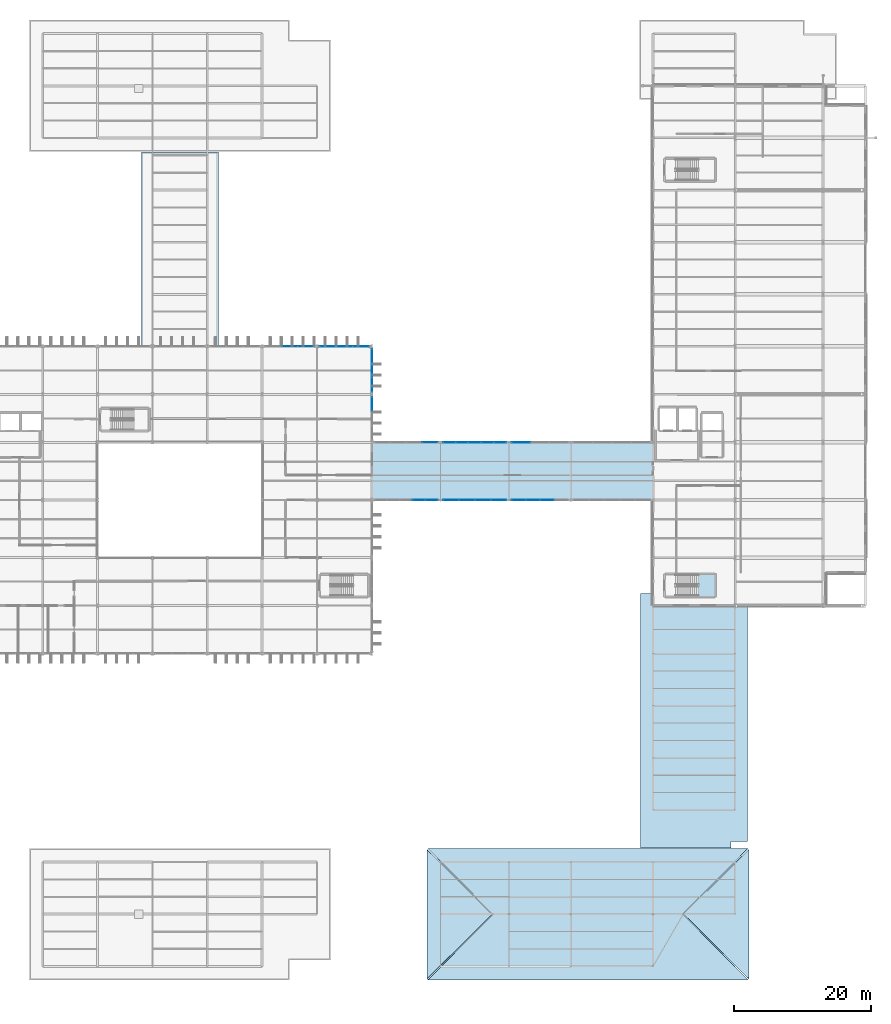
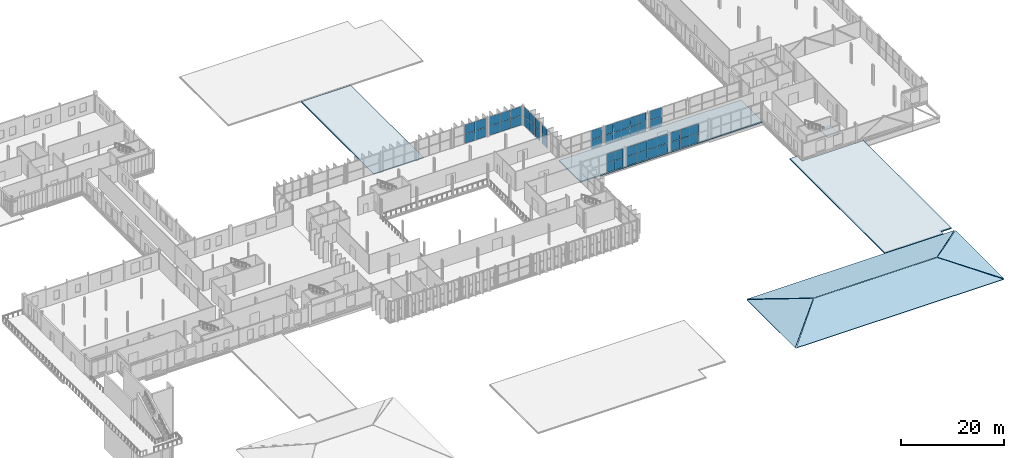
# One storey, part 84 of 120: 50 plates, 8 slabs, 11 elements without a shape of their own.
"""IFC4 building model written with IfcOpenShell, lengths in metres."""

from ifc_helpers import new_model, si_unit, direction, frame, origin, origin_2d, place, context, subcontext, project, spatial, polyline, rectangle, outline, extrude, material, layer, layer_set, type_object, element, aggregate, save


model = new_model("IFC4")

# Units and contexts
model_context = context("Model", 3, precision=1e-05, world=origin(), true_north=direction((0.0, 1.0)))
body_context = subcontext(model_context, "Body", "Model", "MODEL_VIEW")
ifc_project = project(units=[si_unit("LENGTHUNIT", "METRE"), si_unit("AREAUNIT", "SQUARE_METRE"), si_unit("VOLUMEUNIT", "CUBIC_METRE"), si_unit("PLANEANGLEUNIT", "RADIAN"), si_unit("MASSUNIT", "GRAM", prefix="KILO")], contexts=[model_context])

# Site, building, storey
site_placement = place(None, origin())
site = spatial("IfcSite", under=ifc_project, at=site_placement, CompositionType="ELEMENT")
building_placement = place(site_placement, origin())
building = spatial("IfcBuilding", under=site, at=building_placement, Name="Vekula Escarpment Museum", CompositionType="ELEMENT")
storey_placement = place(building_placement, frame((0.0, 0.0, 13.199951171875)))
storey = spatial("IfcBuildingStorey", under=building, at=storey_placement, Name="L03", CompositionType="ELEMENT", Elevation=13.199951171875)

# Curtain wall, plates
ifc_material_1 = material(Name="Aluminium thermally broken framing", Category="aluminium")
ifc_layer_1 = layer(ifc_material_1, 0.159912109375)
ifc_layer_set_1 = layer_set([ifc_layer_1], Name="Aluminium thermally broken framing")
curtain_wall_type_1 = type_object("IfcCurtainWallType", Name="CW-SYS-02", PredefinedType="NOTDEFINED", material=ifc_layer_set_1)
curtain_wall_1_placement = place(storey_placement, origin())
curtain_wall_1 = element("IfcCurtainWall", 1, at=curtain_wall_1_placement, inside=storey, type_object=curtain_wall_type_1, Name="Curtain Wall CW-L03-112", PredefinedType="NOTDEFINED")
ifc_material_2 = material(Name="Double solar-control low-E glass", Category="glass")
ifc_layer_2 = layer(ifc_material_2, 0.028076171875)
ifc_layer_set_2 = layer_set([ifc_layer_2], Name="Double solar-control low-E glass")
plate_type_1 = type_object("IfcPlateType", Name="CW-PNL-28", PredefinedType="CURTAIN_PANEL", material=ifc_layer_set_2)
plate_1_placement = place(storey_placement, frame((137.534912109375, 68.0, 0.06005859375), z_axis=(0.0, 0.0, 1.0), x_axis=(1.0, 0.0, 0.0)))
plate_1 = element("IfcPlate", 2, at=plate_1_placement, type_object=plate_type_1, Name="CW-02 panel 1.1", PredefinedType="CURTAIN_PANEL", context=body_context, shape_type="SweptSolid", body=[
    extrude(rectangle(XDim=2.22998046875, YDim=0.028076171875, at=origin_2d()), origin(), (0.0, 0.0, 1.0), 2.18994140625),
])
plate_2_placement = place(storey_placement, frame((137.534912109375, 68.0, 2.31005859375), z_axis=(0.0, 0.0, 1.0), x_axis=(1.0, 0.0, 0.0)))
plate_2 = element("IfcPlate", 3, at=plate_2_placement, type_object=plate_type_1, Name="CW-02 panel 1.2", PredefinedType="CURTAIN_PANEL", context=body_context, shape_type="SweptSolid", body=[
    extrude(rectangle(XDim=2.22998046875, YDim=0.028076171875, at=origin_2d()), origin(), (0.0, 0.0, 1.0), 2.18994140625),
])
plate_3_placement = place(storey_placement, frame((139.840087890625, 68.0, 0.06005859375), z_axis=(0.0, 0.0, 1.0), x_axis=(1.0, 0.0, 0.0)))
plate_3 = element("IfcPlate", 4, at=plate_3_placement, type_object=plate_type_1, Name="CW-02 panel 2.1", PredefinedType="CURTAIN_PANEL", context=body_context, shape_type="SweptSolid", body=[
    extrude(rectangle(XDim=2.260009765625, YDim=0.028076171875, at=origin_2d()), origin(), (0.0, 0.0, 1.0), 2.18994140625),
])
plate_4_placement = place(storey_placement, frame((139.840087890625, 68.0, 2.31005859375), z_axis=(0.0, 0.0, 1.0), x_axis=(1.0, 0.0, 0.0)))
plate_4 = element("IfcPlate", 5, at=plate_4_placement, type_object=plate_type_1, Name="CW-02 panel 2.2", PredefinedType="CURTAIN_PANEL", context=body_context, shape_type="SweptSolid", body=[
    extrude(rectangle(XDim=2.260009765625, YDim=0.028076171875, at=origin_2d()), origin(), (0.0, 0.0, 1.0), 2.18994140625),
])
plate_5_placement = place(storey_placement, frame((142.159912109375, 68.0, 0.06005859375), z_axis=(0.0, 0.0, 1.0), x_axis=(1.0, 0.0, 0.0)))
plate_5 = element("IfcPlate", 6, at=plate_5_placement, type_object=plate_type_1, Name="CW-02 panel 3.1", PredefinedType="CURTAIN_PANEL", context=body_context, shape_type="SweptSolid", body=[
    extrude(rectangle(XDim=2.260009765625, YDim=0.028076171875, at=origin_2d()), origin(), (0.0, 0.0, 1.0), 2.18994140625),
])
plate_6_placement = place(storey_placement, frame((142.159912109375, 68.0, 2.31005859375), z_axis=(0.0, 0.0, 1.0), x_axis=(1.0, 0.0, 0.0)))
plate_6 = element("IfcPlate", 7, at=plate_6_placement, type_object=plate_type_1, Name="CW-02 panel 3.2", PredefinedType="CURTAIN_PANEL", context=body_context, shape_type="SweptSolid", body=[
    extrude(rectangle(XDim=2.260009765625, YDim=0.028076171875, at=origin_2d()), origin(), (0.0, 0.0, 1.0), 2.18994140625),
])
plate_7_placement = place(storey_placement, frame((144.465087890625, 68.0, 0.06005859375), z_axis=(0.0, 0.0, 1.0), x_axis=(1.0, 0.0, 0.0)))
plate_7 = element("IfcPlate", 8, at=plate_7_placement, type_object=plate_type_1, Name="CW-02 panel 4.1", PredefinedType="CURTAIN_PANEL", context=body_context, shape_type="SweptSolid", body=[
    extrude(rectangle(XDim=2.22998046875, YDim=0.028076171875, at=origin_2d()), origin(), (0.0, 0.0, 1.0), 2.18994140625),
])
plate_8_placement = place(storey_placement, frame((144.465087890625, 68.0, 2.31005859375), z_axis=(0.0, 0.0, 1.0), x_axis=(1.0, 0.0, 0.0)))
plate_8 = element("IfcPlate", 9, at=plate_8_placement, type_object=plate_type_1, Name="CW-02 panel 4.2", PredefinedType="CURTAIN_PANEL", context=body_context, shape_type="SweptSolid", body=[
    extrude(rectangle(XDim=2.22998046875, YDim=0.028076171875, at=origin_2d()), origin(), (0.0, 0.0, 1.0), 2.18994140625),
])
aggregate(curtain_wall_1, [plate_1, plate_2, plate_3, plate_4, plate_5, plate_6, plate_7, plate_8])

ifc_material_3 = material(Name="Aluminium thermally broken framing", Category="aluminium")
ifc_layer_3 = layer(ifc_material_3, 0.169921875)
ifc_layer_set_3 = layer_set([ifc_layer_3], Name="Aluminium thermally broken framing")
curtain_wall_type_2 = type_object("IfcCurtainWallType", Name="CW-SYS-10", PredefinedType="NOTDEFINED", material=ifc_layer_set_3)
curtain_wall_2_placement = place(storey_placement, origin())
curtain_wall_2 = element("IfcCurtainWall", 10, at=curtain_wall_2_placement, inside=storey, type_object=curtain_wall_type_2, Name="Curtain Wall CW-L03-120", PredefinedType="NOTDEFINED")
plate_9_placement = place(storey_placement, frame((134.465087890625, 76.39990234375, 0.06005859375), z_axis=(0.0, 0.0, 1.0), x_axis=(-1.0, 0.0, 0.0)))
plate_9 = element("IfcPlate", 11, at=plate_9_placement, type_object=plate_type_1, Name="CW-10 panel 1.1", PredefinedType="CURTAIN_PANEL", context=body_context, shape_type="SweptSolid", body=[
    extrude(rectangle(XDim=2.22998046875, YDim=0.028076171875, at=origin_2d()), origin(), (0.0, 0.0, 1.0), 2.18994140625),
])
plate_10_placement = place(storey_placement, frame((134.465087890625, 76.39990234375, 2.31005859375), z_axis=(0.0, 0.0, 1.0), x_axis=(-1.0, 0.0, 0.0)))
plate_10 = element("IfcPlate", 12, at=plate_10_placement, type_object=plate_type_1, Name="CW-10 panel 1.2", PredefinedType="CURTAIN_PANEL", context=body_context, shape_type="SweptSolid", body=[
    extrude(rectangle(XDim=2.22998046875, YDim=0.028076171875, at=origin_2d()), origin(), (0.0, 0.0, 1.0), 2.18994140625),
])
aggregate(curtain_wall_2, [plate_9, plate_10])

ifc_material_4 = material(Name="Aluminium thermally broken framing", Category="aluminium")
ifc_layer_4 = layer(ifc_material_4, 0.199951171875)
ifc_layer_set_4 = layer_set([ifc_layer_4], Name="Aluminium thermally broken framing")
curtain_wall_type_3 = type_object("IfcCurtainWallType", Name="CW-SYS-04", PredefinedType="NOTDEFINED", material=ifc_layer_set_4)
curtain_wall_3_placement = place(storey_placement, origin())
curtain_wall_3 = element("IfcCurtainWall", 13, at=curtain_wall_3_placement, inside=storey, type_object=curtain_wall_type_3, Name="Curtain Wall CW-L03-124", PredefinedType="NOTDEFINED")
plate_11_placement = place(storey_placement, frame((116.41162109375, 90.39990234375, 0.06005859375), z_axis=(0.0, 0.0, 1.0), x_axis=(-1.0, 0.0, 0.0)))
plate_11 = element("IfcPlate", 14, at=plate_11_placement, type_object=plate_type_1, Name="CW-04 panel 1.1", PredefinedType="CURTAIN_PANEL", context=body_context, shape_type="SweptSolid", body=[
    extrude(rectangle(XDim=2.336669921875, YDim=0.028076171875, at=origin_2d()), origin(), (0.0, 0.0, 1.0), 2.18994140625),
])
plate_12_placement = place(storey_placement, frame((116.41162109375, 90.39990234375, 2.31005859375), z_axis=(0.0, 0.0, 1.0), x_axis=(-1.0, 0.0, 0.0)))
plate_12 = element("IfcPlate", 15, at=plate_12_placement, type_object=plate_type_1, Name="CW-04 panel 1.2", PredefinedType="CURTAIN_PANEL", context=body_context, shape_type="SweptSolid", body=[
    extrude(rectangle(XDim=2.336669921875, YDim=0.028076171875, at=origin_2d()), origin(), (0.0, 0.0, 1.0), 2.18994140625),
])
plate_13_placement = place(storey_placement, frame((114.0, 90.39990234375, 0.06005859375), z_axis=(0.0, 0.0, 1.0), x_axis=(-1.0, 0.0, 0.0)))
plate_13 = element("IfcPlate", 16, at=plate_13_placement, type_object=plate_type_1, Name="CW-04 panel 2.1", PredefinedType="CURTAIN_PANEL", context=body_context, shape_type="SweptSolid", body=[
    extrude(rectangle(XDim=2.36669921875, YDim=0.028076171875, at=origin_2d()), origin(), (0.0, 0.0, 1.0), 2.18994140625),
])
plate_14_placement = place(storey_placement, frame((114.0, 90.39990234375, 2.31005859375), z_axis=(0.0, 0.0, 1.0), x_axis=(-1.0, 0.0, 0.0)))
plate_14 = element("IfcPlate", 17, at=plate_14_placement, type_object=plate_type_1, Name="CW-04 panel 2.2", PredefinedType="CURTAIN_PANEL", context=body_context, shape_type="SweptSolid", body=[
    extrude(rectangle(XDim=2.36669921875, YDim=0.028076171875, at=origin_2d()), origin(), (0.0, 0.0, 1.0), 2.18994140625),
])
aggregate(curtain_wall_3, [plate_11, plate_12, plate_13, plate_14])

ifc_material_5 = material(Name="Aluminium thermally broken framing", Category="aluminium")
ifc_layer_5 = layer(ifc_material_5, 0.199951171875)
ifc_layer_set_5 = layer_set([ifc_layer_5], Name="Aluminium thermally broken framing")
curtain_wall_type_4 = type_object("IfcCurtainWallType", Name="CW-SYS-03", PredefinedType="NOTDEFINED", material=ifc_layer_set_5)
curtain_wall_4_placement = place(storey_placement, origin())
curtain_wall_4 = element("IfcCurtainWall", 18, at=curtain_wall_4_placement, inside=storey, type_object=curtain_wall_type_4, Name="Curtain Wall CW-L03-113", PredefinedType="NOTDEFINED")
ifc_material_6 = material(Name="Acoustic laminated double low-E glass", Category="glass")
ifc_layer_6 = layer(ifc_material_6, 0.031982421875)
ifc_layer_set_6 = layer_set([ifc_layer_6], Name="Acoustic laminated double low-E glass")
plate_type_2 = type_object("IfcPlateType", Name="CW-PNL-32", PredefinedType="CURTAIN_PANEL", material=ifc_layer_set_6)
plate_15_placement = place(storey_placement, frame((147.409912109375, 68.0, 0.06005859375), z_axis=(0.0, 0.0, 1.0), x_axis=(1.0, 0.0, 0.0)))
plate_15 = element("IfcPlate", 19, at=plate_15_placement, type_object=plate_type_2, Name="CW-03 panel 1.1", PredefinedType="CURTAIN_PANEL", context=body_context, shape_type="SweptSolid", body=[
    extrude(rectangle(XDim=1.97998046875, YDim=0.031982421875, at=origin_2d()), origin(), (0.0, 0.0, 1.0), 2.18994140625),
])
plate_16_placement = place(storey_placement, frame((147.409912109375, 68.0, 2.31005859375), z_axis=(0.0, 0.0, 1.0), x_axis=(1.0, 0.0, 0.0)))
plate_16 = element("IfcPlate", 20, at=plate_16_placement, type_object=plate_type_2, Name="CW-03 panel 1.2", PredefinedType="CURTAIN_PANEL", context=body_context, shape_type="SweptSolid", body=[
    extrude(rectangle(XDim=1.97998046875, YDim=0.031982421875, at=origin_2d()), origin(), (0.0, 0.0, 1.0), 2.18994140625),
])
plate_17_placement = place(storey_placement, frame((149.465087890625, 68.0, 0.06005859375), z_axis=(0.0, 0.0, 1.0), x_axis=(1.0, 0.0, 0.0)))
plate_17 = element("IfcPlate", 21, at=plate_17_placement, type_object=plate_type_2, Name="CW-03 panel 2.1", PredefinedType="CURTAIN_PANEL", context=body_context, shape_type="SweptSolid", body=[
    extrude(rectangle(XDim=2.010009765625, YDim=0.031982421875, at=origin_2d()), origin(), (0.0, 0.0, 1.0), 2.18994140625),
])
plate_18_placement = place(storey_placement, frame((149.465087890625, 68.0, 2.31005859375), z_axis=(0.0, 0.0, 1.0), x_axis=(1.0, 0.0, 0.0)))
plate_18 = element("IfcPlate", 22, at=plate_18_placement, type_object=plate_type_2, Name="CW-03 panel 2.2", PredefinedType="CURTAIN_PANEL", context=body_context, shape_type="SweptSolid", body=[
    extrude(rectangle(XDim=2.010009765625, YDim=0.031982421875, at=origin_2d()), origin(), (0.0, 0.0, 1.0), 2.18994140625),
])
plate_19_placement = place(storey_placement, frame((151.534912109375, 68.0, 0.06005859375), z_axis=(0.0, 0.0, 1.0), x_axis=(1.0, 0.0, 0.0)))
plate_19 = element("IfcPlate", 23, at=plate_19_placement, type_object=plate_type_2, Name="CW-03 panel 3.1", PredefinedType="CURTAIN_PANEL", context=body_context, shape_type="SweptSolid", body=[
    extrude(rectangle(XDim=2.010009765625, YDim=0.031982421875, at=origin_2d()), origin(), (0.0, 0.0, 1.0), 2.18994140625),
])
plate_20_placement = place(storey_placement, frame((151.534912109375, 68.0, 2.31005859375), z_axis=(0.0, 0.0, 1.0), x_axis=(1.0, 0.0, 0.0)))
plate_20 = element("IfcPlate", 24, at=plate_20_placement, type_object=plate_type_2, Name="CW-03 panel 3.2", PredefinedType="CURTAIN_PANEL", context=body_context, shape_type="SweptSolid", body=[
    extrude(rectangle(XDim=2.010009765625, YDim=0.031982421875, at=origin_2d()), origin(), (0.0, 0.0, 1.0), 2.18994140625),
])
aggregate(curtain_wall_4, [plate_15, plate_16, plate_17, plate_18, plate_19, plate_20])

ifc_material_7 = material(Name="Aluminium thermally broken framing", Category="aluminium")
ifc_layer_7 = layer(ifc_material_7, 0.159912109375)
ifc_layer_set_7 = layer_set([ifc_layer_7], Name="Aluminium thermally broken framing")
curtain_wall_type_5 = type_object("IfcCurtainWallType", Name="CW-SYS-01", PredefinedType="NOTDEFINED", material=ifc_layer_set_7)
curtain_wall_5_placement = place(storey_placement, origin())
curtain_wall_5 = element("IfcCurtainWall", 25, at=curtain_wall_5_placement, inside=storey, type_object=curtain_wall_type_5, Name="Curtain Wall CW-L03-121", PredefinedType="NOTDEFINED")
plate_21_placement = place(storey_placement, frame((126.0, 81.978271484375, 0.06005859375), z_axis=(0.0, 0.0, 1.0), x_axis=(0.0, 1.0, 0.0)))
plate_21 = element("IfcPlate", 26, at=plate_21_placement, type_object=plate_type_2, Name="CW-01 panel 3.1", PredefinedType="CURTAIN_PANEL", context=body_context, shape_type="SweptSolid", body=[
    extrude(rectangle(XDim=2.00341796875, YDim=0.031982421875, at=origin_2d()), origin(), (0.0, 0.0, 1.0), 2.18994140625),
])
plate_22_placement = place(storey_placement, frame((126.0, 81.978271484375, 2.31005859375), z_axis=(0.0, 0.0, 1.0), x_axis=(0.0, 1.0, 0.0)))
plate_22 = element("IfcPlate", 27, at=plate_22_placement, type_object=plate_type_2, Name="CW-01 panel 3.2", PredefinedType="CURTAIN_PANEL", context=body_context, shape_type="SweptSolid", body=[
    extrude(rectangle(XDim=2.00341796875, YDim=0.031982421875, at=origin_2d()), origin(), (0.0, 0.0, 1.0), 2.18994140625),
])
aggregate(curtain_wall_5, [plate_21, plate_22])

ifc_material_8 = material(Name="Aluminium thermally broken framing", Category="aluminium")
ifc_layer_8 = layer(ifc_material_8, 0.179931640625)
ifc_layer_set_8 = layer_set([ifc_layer_8], Name="Aluminium thermally broken framing")
curtain_wall_type_6 = type_object("IfcCurtainWallType", Name="CW-SYS-08", PredefinedType="NOTDEFINED", material=ifc_layer_set_8)
curtain_wall_6_placement = place(storey_placement, origin())
curtain_wall_6 = element("IfcCurtainWall", 28, at=curtain_wall_6_placement, inside=storey, type_object=curtain_wall_type_6, Name="Curtain Wall CW-L03-118", PredefinedType="NOTDEFINED")
ifc_material_9 = material(Name="Triple UV-filtered museum gallery glass", Category="glass")
ifc_layer_9 = layer(ifc_material_9, 0.035888671875)
ifc_layer_set_9 = layer_set([ifc_layer_9], Name="Triple UV-filtered museum gallery glass")
plate_type_3 = type_object("IfcPlateType", Name="CW-PNL-36", PredefinedType="CURTAIN_PANEL", material=ifc_layer_set_9)
plate_23_placement = place(storey_placement, frame((147.7548828125, 76.39990234375, 0.06005859375), z_axis=(0.0, 0.0, 1.0), x_axis=(-1.0, 0.0, 0.0)))
plate_23 = element("IfcPlate", 29, at=plate_23_placement, type_object=plate_type_3, Name="CW-08 panel 3.1", PredefinedType="CURTAIN_PANEL", context=body_context, shape_type="SweptSolid", body=[
    extrude(rectangle(XDim=2.669921875, YDim=0.035888671875, at=origin_2d()), origin(), (0.0, 0.0, 1.0), 2.18994140625),
])
plate_24_placement = place(storey_placement, frame((147.7548828125, 76.39990234375, 2.31005859375), z_axis=(0.0, 0.0, 1.0), x_axis=(-1.0, 0.0, 0.0)))
plate_24 = element("IfcPlate", 30, at=plate_24_placement, type_object=plate_type_3, Name="CW-08 panel 3.2", PredefinedType="CURTAIN_PANEL", context=body_context, shape_type="SweptSolid", body=[
    extrude(rectangle(XDim=2.669921875, YDim=0.035888671875, at=origin_2d()), origin(), (0.0, 0.0, 1.0), 2.18994140625),
])
aggregate(curtain_wall_6, [plate_23, plate_24])

curtain_wall_7_placement = place(storey_placement, origin())
curtain_wall_7 = element("IfcCurtainWall", 31, at=curtain_wall_7_placement, inside=storey, type_object=curtain_wall_type_1, Name="Curtain Wall CW-L03-122", PredefinedType="NOTDEFINED")
plate_25_placement = place(storey_placement, frame((126.0, 84.82177734375, 0.06005859375), z_axis=(0.0, 0.0, 1.0), x_axis=(0.0, 1.0, 0.0)))
plate_25 = element("IfcPlate", 32, at=plate_25_placement, type_object=plate_type_3, Name="CW-02 panel 1.1", PredefinedType="CURTAIN_PANEL", context=body_context, shape_type="SweptSolid", body=[
    extrude(rectangle(XDim=2.00341796875, YDim=0.035888671875, at=origin_2d()), origin(), (0.0, 0.0, 1.0), 2.18994140625),
])
plate_26_placement = place(storey_placement, frame((126.0, 84.82177734375, 2.31005859375), z_axis=(0.0, 0.0, 1.0), x_axis=(0.0, 1.0, 0.0)))
plate_26 = element("IfcPlate", 33, at=plate_26_placement, type_object=plate_type_3, Name="CW-02 panel 1.2", PredefinedType="CURTAIN_PANEL", context=body_context, shape_type="SweptSolid", body=[
    extrude(rectangle(XDim=2.00341796875, YDim=0.035888671875, at=origin_2d()), origin(), (0.0, 0.0, 1.0), 2.18994140625),
])
plate_27_placement = place(storey_placement, frame((126.0, 86.89990234375, 0.06005859375), z_axis=(0.0, 0.0, 1.0), x_axis=(0.0, 1.0, 0.0)))
plate_27 = element("IfcPlate", 34, at=plate_27_placement, type_object=plate_type_3, Name="CW-02 panel 2.1", PredefinedType="CURTAIN_PANEL", context=body_context, shape_type="SweptSolid", body=[
    extrude(rectangle(XDim=2.033447265625, YDim=0.035888671875, at=origin_2d()), origin(), (0.0, 0.0, 1.0), 2.18994140625),
])
plate_28_placement = place(storey_placement, frame((126.0, 86.89990234375, 2.31005859375), z_axis=(0.0, 0.0, 1.0), x_axis=(0.0, 1.0, 0.0)))
plate_28 = element("IfcPlate", 35, at=plate_28_placement, type_object=plate_type_3, Name="CW-02 panel 2.2", PredefinedType="CURTAIN_PANEL", context=body_context, shape_type="SweptSolid", body=[
    extrude(rectangle(XDim=2.033447265625, YDim=0.035888671875, at=origin_2d()), origin(), (0.0, 0.0, 1.0), 2.18994140625),
])
plate_29_placement = place(storey_placement, frame((126.0, 88.978271484375, 0.06005859375), z_axis=(0.0, 0.0, 1.0), x_axis=(0.0, 1.0, 0.0)))
plate_29 = element("IfcPlate", 36, at=plate_29_placement, type_object=plate_type_3, Name="CW-02 panel 3.1", PredefinedType="CURTAIN_PANEL", context=body_context, shape_type="SweptSolid", body=[
    extrude(rectangle(XDim=2.00341796875, YDim=0.035888671875, at=origin_2d()), origin(), (0.0, 0.0, 1.0), 2.18994140625),
])
plate_30_placement = place(storey_placement, frame((126.0, 88.978271484375, 2.31005859375), z_axis=(0.0, 0.0, 1.0), x_axis=(0.0, 1.0, 0.0)))
plate_30 = element("IfcPlate", 37, at=plate_30_placement, type_object=plate_type_3, Name="CW-02 panel 3.2", PredefinedType="CURTAIN_PANEL", context=body_context, shape_type="SweptSolid", body=[
    extrude(rectangle(XDim=2.00341796875, YDim=0.035888671875, at=origin_2d()), origin(), (0.0, 0.0, 1.0), 2.18994140625),
])
aggregate(curtain_wall_7, [plate_25, plate_26, plate_27, plate_28, plate_29, plate_30])

curtain_wall_8_placement = place(storey_placement, origin())
curtain_wall_8 = element("IfcCurtainWall", 38, at=curtain_wall_8_placement, inside=storey, type_object=curtain_wall_type_5, Name="Curtain Wall CW-L03-111", PredefinedType="NOTDEFINED")
ifc_material_10 = material(Name="Insulated bronze spandrel glass panel", Category="glass")
ifc_layer_10 = layer(ifc_material_10, 0.0400390625)
ifc_layer_set_10 = layer_set([ifc_layer_10], Name="Insulated bronze spandrel glass panel")
plate_type_4 = type_object("IfcPlateType", Name="CW-PNL-40", PredefinedType="CURTAIN_PANEL", material=ifc_layer_set_10)
plate_31_placement = place(storey_placement, frame((132.85595703125, 68.0, 0.06005859375), z_axis=(0.0, 0.0, 1.0), x_axis=(1.0, 0.0, 0.0)))
plate_31 = element("IfcPlate", 39, at=plate_31_placement, type_object=plate_type_4, Name="CW-01 panel 4.1", PredefinedType="CURTAIN_PANEL", context=body_context, shape_type="SweptSolid", body=[
    extrude(rectangle(XDim=1.7958984375, YDim=0.0400390625, at=origin_2d()), origin(), (0.0, 0.0, 1.0), 2.18994140625),
])
plate_32_placement = place(storey_placement, frame((132.85595703125, 68.0, 2.31005859375), z_axis=(0.0, 0.0, 1.0), x_axis=(1.0, 0.0, 0.0)))
plate_32 = element("IfcPlate", 40, at=plate_32_placement, type_object=plate_type_4, Name="CW-01 panel 4.2", PredefinedType="CURTAIN_PANEL", context=body_context, shape_type="SweptSolid", body=[
    extrude(rectangle(XDim=1.7958984375, YDim=0.0400390625, at=origin_2d()), origin(), (0.0, 0.0, 1.0), 2.18994140625),
])
plate_33_placement = place(storey_placement, frame((134.697021484375, 68.0, 0.06005859375), z_axis=(0.0, 0.0, 1.0), x_axis=(1.0, 0.0, 0.0)))
plate_33 = element("IfcPlate", 41, at=plate_33_placement, type_object=plate_type_4, Name="CW-01 panel 5.1", PredefinedType="CURTAIN_PANEL", context=body_context, shape_type="SweptSolid", body=[
    extrude(rectangle(XDim=1.76611328125, YDim=0.0400390625, at=origin_2d()), origin(), (0.0, 0.0, 1.0), 2.18994140625),
])
plate_34_placement = place(storey_placement, frame((134.697021484375, 68.0, 2.31005859375), z_axis=(0.0, 0.0, 1.0), x_axis=(1.0, 0.0, 0.0)))
plate_34 = element("IfcPlate", 42, at=plate_34_placement, type_object=plate_type_4, Name="CW-01 panel 5.2", PredefinedType="CURTAIN_PANEL", context=body_context, shape_type="SweptSolid", body=[
    extrude(rectangle(XDim=1.76611328125, YDim=0.0400390625, at=origin_2d()), origin(), (0.0, 0.0, 1.0), 2.18994140625),
])
aggregate(curtain_wall_8, [plate_31, plate_32, plate_33, plate_34])

ifc_material_11 = material(Name="Aluminium thermally broken framing", Category="aluminium")
ifc_layer_11 = layer(ifc_material_11, 0.14990234375)
ifc_layer_set_11 = layer_set([ifc_layer_11], Name="Aluminium thermally broken framing")
curtain_wall_type_7 = type_object("IfcCurtainWallType", Name="CW-SYS-09", PredefinedType="NOTDEFINED", material=ifc_layer_set_11)
curtain_wall_9_placement = place(storey_placement, origin())
curtain_wall_9 = element("IfcCurtainWall", 43, at=curtain_wall_9_placement, inside=storey, type_object=curtain_wall_type_7, Name="Curtain Wall CW-L03-119", PredefinedType="NOTDEFINED")
plate_35_placement = place(storey_placement, frame((144.697021484375, 76.39990234375, 0.06005859375), z_axis=(0.0, 0.0, 1.0), x_axis=(-1.0, 0.0, 0.0)))
plate_35 = element("IfcPlate", 44, at=plate_35_placement, type_object=plate_type_4, Name="CW-09 panel 1.1", PredefinedType="CURTAIN_PANEL", context=body_context, shape_type="SweptSolid", body=[
    extrude(rectangle(XDim=1.76611328125, YDim=0.0400390625, at=origin_2d()), origin(), (0.0, 0.0, 1.0), 2.18994140625),
])
plate_36_placement = place(storey_placement, frame((144.697021484375, 76.39990234375, 2.31005859375), z_axis=(0.0, 0.0, 1.0), x_axis=(-1.0, 0.0, 0.0)))
plate_36 = element("IfcPlate", 45, at=plate_36_placement, type_object=plate_type_4, Name="CW-09 panel 1.2", PredefinedType="CURTAIN_PANEL", context=body_context, shape_type="SweptSolid", body=[
    extrude(rectangle(XDim=1.76611328125, YDim=0.0400390625, at=origin_2d()), origin(), (0.0, 0.0, 1.0), 2.18994140625),
])
plate_37_placement = place(storey_placement, frame((142.85595703125, 76.39990234375, 0.06005859375), z_axis=(0.0, 0.0, 1.0), x_axis=(-1.0, 0.0, 0.0)))
plate_37 = element("IfcPlate", 46, at=plate_37_placement, type_object=plate_type_4, Name="CW-09 panel 2.1", PredefinedType="CURTAIN_PANEL", context=body_context, shape_type="SweptSolid", body=[
    extrude(rectangle(XDim=1.7958984375, YDim=0.0400390625, at=origin_2d()), origin(), (0.0, 0.0, 1.0), 2.18994140625),
])
plate_38_placement = place(storey_placement, frame((142.85595703125, 76.39990234375, 2.31005859375), z_axis=(0.0, 0.0, 1.0), x_axis=(-1.0, 0.0, 0.0)))
plate_38 = element("IfcPlate", 47, at=plate_38_placement, type_object=plate_type_4, Name="CW-09 panel 2.2", PredefinedType="CURTAIN_PANEL", context=body_context, shape_type="SweptSolid", body=[
    extrude(rectangle(XDim=1.7958984375, YDim=0.0400390625, at=origin_2d()), origin(), (0.0, 0.0, 1.0), 2.18994140625),
])
plate_39_placement = place(storey_placement, frame((141.0, 76.39990234375, 0.06005859375), z_axis=(0.0, 0.0, 1.0), x_axis=(-1.0, 0.0, 0.0)))
plate_39 = element("IfcPlate", 48, at=plate_39_placement, type_object=plate_type_4, Name="CW-09 panel 3.1", PredefinedType="CURTAIN_PANEL", context=body_context, shape_type="SweptSolid", body=[
    extrude(rectangle(XDim=1.7958984375, YDim=0.0400390625, at=origin_2d()), origin(), (0.0, 0.0, 1.0), 2.18994140625),
])
plate_40_placement = place(storey_placement, frame((141.0, 76.39990234375, 2.31005859375), z_axis=(0.0, 0.0, 1.0), x_axis=(-1.0, 0.0, 0.0)))
plate_40 = element("IfcPlate", 49, at=plate_40_placement, type_object=plate_type_4, Name="CW-09 panel 3.2", PredefinedType="CURTAIN_PANEL", context=body_context, shape_type="SweptSolid", body=[
    extrude(rectangle(XDim=1.7958984375, YDim=0.0400390625, at=origin_2d()), origin(), (0.0, 0.0, 1.0), 2.18994140625),
])
plate_41_placement = place(storey_placement, frame((139.14404296875, 76.39990234375, 0.06005859375), z_axis=(0.0, 0.0, 1.0), x_axis=(-1.0, 0.0, 0.0)))
plate_41 = element("IfcPlate", 50, at=plate_41_placement, type_object=plate_type_4, Name="CW-09 panel 4.1", PredefinedType="CURTAIN_PANEL", context=body_context, shape_type="SweptSolid", body=[
    extrude(rectangle(XDim=1.7958984375, YDim=0.0400390625, at=origin_2d()), origin(), (0.0, 0.0, 1.0), 2.18994140625),
])
plate_42_placement = place(storey_placement, frame((139.14404296875, 76.39990234375, 2.31005859375), z_axis=(0.0, 0.0, 1.0), x_axis=(-1.0, 0.0, 0.0)))
plate_42 = element("IfcPlate", 51, at=plate_42_placement, type_object=plate_type_4, Name="CW-09 panel 4.2", PredefinedType="CURTAIN_PANEL", context=body_context, shape_type="SweptSolid", body=[
    extrude(rectangle(XDim=1.7958984375, YDim=0.0400390625, at=origin_2d()), origin(), (0.0, 0.0, 1.0), 2.18994140625),
])
plate_43_placement = place(storey_placement, frame((137.302978515625, 76.39990234375, 0.06005859375), z_axis=(0.0, 0.0, 1.0), x_axis=(-1.0, 0.0, 0.0)))
plate_43 = element("IfcPlate", 52, at=plate_43_placement, type_object=plate_type_4, Name="CW-09 panel 5.1", PredefinedType="CURTAIN_PANEL", context=body_context, shape_type="SweptSolid", body=[
    extrude(rectangle(XDim=1.76611328125, YDim=0.0400390625, at=origin_2d()), origin(), (0.0, 0.0, 1.0), 2.18994140625),
])
plate_44_placement = place(storey_placement, frame((137.302978515625, 76.39990234375, 2.31005859375), z_axis=(0.0, 0.0, 1.0), x_axis=(-1.0, 0.0, 0.0)))
plate_44 = element("IfcPlate", 53, at=plate_44_placement, type_object=plate_type_4, Name="CW-09 panel 5.2", PredefinedType="CURTAIN_PANEL", context=body_context, shape_type="SweptSolid", body=[
    extrude(rectangle(XDim=1.76611328125, YDim=0.0400390625, at=origin_2d()), origin(), (0.0, 0.0, 1.0), 2.18994140625),
])
aggregate(curtain_wall_9, [plate_35, plate_36, plate_37, plate_38, plate_39, plate_40, plate_41, plate_42, plate_43, plate_44])

curtain_wall_10_placement = place(storey_placement, origin())
curtain_wall_10 = element("IfcCurtainWall", 54, at=curtain_wall_10_placement, inside=storey, type_object=curtain_wall_type_4, Name="Curtain Wall CW-L03-123", PredefinedType="NOTDEFINED")
plate_45_placement = place(storey_placement, frame((124.41162109375, 90.39990234375, 0.06005859375), z_axis=(0.0, 0.0, 1.0), x_axis=(-1.0, 0.0, 0.0)))
plate_45 = element("IfcPlate", 55, at=plate_45_placement, type_object=plate_type_4, Name="CW-03 panel 1.1", PredefinedType="CURTAIN_PANEL", context=body_context, shape_type="SweptSolid", body=[
    extrude(rectangle(XDim=2.336669921875, YDim=0.0400390625, at=origin_2d()), origin(), (0.0, 0.0, 1.0), 2.18994140625),
])
plate_46_placement = place(storey_placement, frame((124.41162109375, 90.39990234375, 2.31005859375), z_axis=(0.0, 0.0, 1.0), x_axis=(-1.0, 0.0, 0.0)))
plate_46 = element("IfcPlate", 56, at=plate_46_placement, type_object=plate_type_4, Name="CW-03 panel 1.2", PredefinedType="CURTAIN_PANEL", context=body_context, shape_type="SweptSolid", body=[
    extrude(rectangle(XDim=2.336669921875, YDim=0.0400390625, at=origin_2d()), origin(), (0.0, 0.0, 1.0), 2.18994140625),
])
plate_47_placement = place(storey_placement, frame((122.0, 90.39990234375, 0.06005859375), z_axis=(0.0, 0.0, 1.0), x_axis=(-1.0, 0.0, 0.0)))
plate_47 = element("IfcPlate", 57, at=plate_47_placement, type_object=plate_type_4, Name="CW-03 panel 2.1", PredefinedType="CURTAIN_PANEL", context=body_context, shape_type="SweptSolid", body=[
    extrude(rectangle(XDim=2.36669921875, YDim=0.0400390625, at=origin_2d()), origin(), (0.0, 0.0, 1.0), 2.18994140625),
])
plate_48_placement = place(storey_placement, frame((122.0, 90.39990234375, 2.31005859375), z_axis=(0.0, 0.0, 1.0), x_axis=(-1.0, 0.0, 0.0)))
plate_48 = element("IfcPlate", 58, at=plate_48_placement, type_object=plate_type_4, Name="CW-03 panel 2.2", PredefinedType="CURTAIN_PANEL", context=body_context, shape_type="SweptSolid", body=[
    extrude(rectangle(XDim=2.36669921875, YDim=0.0400390625, at=origin_2d()), origin(), (0.0, 0.0, 1.0), 2.18994140625),
])
plate_49_placement = place(storey_placement, frame((119.58837890625, 90.39990234375, 0.06005859375), z_axis=(0.0, 0.0, 1.0), x_axis=(-1.0, 0.0, 0.0)))
plate_49 = element("IfcPlate", 59, at=plate_49_placement, type_object=plate_type_4, Name="CW-03 panel 3.1", PredefinedType="CURTAIN_PANEL", context=body_context, shape_type="SweptSolid", body=[
    extrude(rectangle(XDim=2.336669921875, YDim=0.0400390625, at=origin_2d()), origin(), (0.0, 0.0, 1.0), 2.18994140625),
])
plate_50_placement = place(storey_placement, frame((119.58837890625, 90.39990234375, 2.31005859375), z_axis=(0.0, 0.0, 1.0), x_axis=(-1.0, 0.0, 0.0)))
plate_50 = element("IfcPlate", 60, at=plate_50_placement, type_object=plate_type_4, Name="CW-03 panel 3.2", PredefinedType="CURTAIN_PANEL", context=body_context, shape_type="SweptSolid", body=[
    extrude(rectangle(XDim=2.336669921875, YDim=0.0400390625, at=origin_2d()), origin(), (0.0, 0.0, 1.0), 2.18994140625),
])
aggregate(curtain_wall_10, [plate_45, plate_46, plate_47, plate_48, plate_49, plate_50])

# Slabs
ifc_material_12 = material(Name="Concrete C35/45", Category="concrete")
ifc_layer_12 = layer(ifc_material_12, 0.25)
ifc_layer_set_12 = layer_set([ifc_layer_12], Name="Concrete C35/45")
slab_type_1 = type_object("IfcSlabType", Name="SL-FLR-250", PredefinedType="FLOOR", material=ifc_layer_set_12)
slab_1_placement = place(storey_placement, frame((0.0, 0.0, -0.25)))
element("IfcSlab", 61, at=slab_1_placement, inside=storey, type_object=slab_type_1, Name="Floor Slab W-L03-V3-ELK", PredefinedType="FLOOR", context=body_context, shape_type="SweptSolid", body=[
    extrude(outline(polyline([(126.0, 68.0), (167.0, 68.0), (167.0, 76.39990234375), (126.0, 76.39990234375), (126.0, 68.0)])), origin(), (0.0, 0.0, 1.0), 0.25),
])
ifc_material_13 = material(Name="Concrete C35/45", Category="concrete")
ifc_layer_13 = layer(ifc_material_13, 0.159912109375)
ifc_layer_set_13 = layer_set([ifc_layer_13], Name="Concrete C35/45")
slab_type_2 = type_object("IfcSlabType", Name="SL-HIP-160", PredefinedType="ROOF", material=ifc_layer_set_13)
for number, where, z_axis, x_axis, name in (
    (62, (134.139892578125, -2.0, 0.0), (0.0, -0.272316873857, 0.962207628432), (1.0, 0.0, 0.0), "Entry Pavilion Hipped Sacak Roof South"),
    (63, (180.860107421875, 17.199951171875, 0.0), (0.0, 0.272316873857, 0.962207628432), (-1.0, 0.0, 0.0), "Entry Pavilion Hipped Sacak Roof North"),
):
    element("IfcSlab", number, at=place(storey_placement, frame(where, z_axis=z_axis, x_axis=x_axis)), inside=storey, type_object=slab_type_2, Name=name, PredefinedType="ROOF", context=body_context, shape_type="SweptSolid", body=[
        extrude(outline(polyline([(0.0, 0.0), (46.72021484375, 0.0), (37.260009765625, 9.914740624168394), (9.460205078125, 9.914740624168394), (0.0, 0.0)])), origin(), (0.0, 0.0, -1.0), 0.159912109375),
    ])
slab_2_placement = place(storey_placement, frame((134.0, 17.06005859375, 0.0), z_axis=(-0.272316873857, 0.0, 0.962207628432), x_axis=(0.0, -1.0, 0.0)))
element("IfcSlab", 64, at=slab_2_placement, inside=storey, type_object=slab_type_2, Name="Entry Pavilion Hipped Sacak Roof West", PredefinedType="ROOF", context=body_context, shape_type="SweptSolid", body=[
    extrude(outline(polyline([(0.0, 0.0), (18.920166015625, 0.0), (9.4599609375, 9.914740624168394), (0.0, 0.0)])), origin(), (0.0, 0.0, -1.0), 0.159912109375),
])
slab_3_placement = place(storey_placement, frame((181.0, -1.860107421875, 0.0), z_axis=(0.272316873857, 0.0, 0.962207628432), x_axis=(0.0, 1.0, 0.0)))
element("IfcSlab", 65, at=slab_3_placement, inside=storey, type_object=slab_type_2, Name="Entry Pavilion Hipped Sacak Roof East", PredefinedType="ROOF", context=body_context, shape_type="SweptSolid", body=[
    extrude(outline(polyline([(0.0, 0.0), (18.920166015625, 0.0), (9.460205078125, 9.914740624168394), (0.0, 0.0)])), origin(), (0.0, 0.0, -1.0), 0.159912109375),
])

# Stair, slab
ifc_material_14 = material(Name="Concrete C35/45", Category="concrete")
stair_type = type_object("IfcStairType", Name="STR-TYPE-145", PredefinedType="HALF_TURN_STAIR", material=ifc_material_14)
stair_placement = place(storey_placement, origin())
stair = element("IfcStair", 66, at=stair_placement, inside=storey, type_object=stair_type, Name="L03 East Gallery Exit Stair ST-02", PredefinedType="HALF_TURN_STAIR")
ifc_material_15 = material(Name="Concrete C35/45", Category="concrete")
ifc_layer_14 = layer(ifc_material_15, 0.199951171875)
ifc_layer_set_14 = layer_set([ifc_layer_14], Name="Concrete C35/45")
slab_type_3 = type_object("IfcSlabType", Name="SL-LAND-200", PredefinedType="LANDING", material=ifc_layer_set_14)
slab_4_placement = place(storey_placement, frame((0.0, 0.0, 2.199951171875)))
slab_4 = element("IfcSlab", 67, at=slab_4_placement, type_object=slab_type_3, Name="ST-02 landing 1", PredefinedType="LANDING", context=body_context, shape_type="SweptSolid", body=[
    extrude(outline(polyline([(173.52001953125, 53.909912109375), (176.090087890625, 53.909912109375), (176.090087890625, 57.18994140625), (173.52001953125, 57.18994140625), (173.52001953125, 53.909912109375)])), origin(), (0.0, 0.0, 1.0), 0.2001953125),
])
aggregate(stair, [slab_4])

# Slabs
ifc_material_16 = material(Name="Concrete C35/45", Category="concrete")
ifc_layer_15 = layer(ifc_material_16, 0.199951171875)
ifc_layer_set_15 = layer_set([ifc_layer_15], Name="Concrete C35/45")
slab_type_4 = type_object("IfcSlabType", Name="SL-ROOF-200", PredefinedType="ROOF", material=ifc_layer_set_15)
slab_5_placement = place(storey_placement, frame((0.0, 0.0, -0.199951171875)))
element("IfcSlab", 68, at=slab_5_placement, inside=storey, type_object=slab_type_4, Name="Overhanging Eave Roof Slab R-L03-ELK", PredefinedType="ROOF", context=body_context, shape_type="SweptSolid", body=[
    extrude(outline(polyline([(165.199951171875, 54.39990234375), (166.969970703125, 54.39990234375), (166.969970703125, 52.570068359375), (180.800048828125, 52.570068359375), (180.800048828125, 18.199951171875), (178.39990234375, 18.199951171875), (178.39990234375, 17.25), (165.199951171875, 17.25), (165.199951171875, 54.39990234375)])), origin(), (0.0, 0.0, 1.0), 0.199951171875),
])
slab_6_placement = place(storey_placement, frame((0.0, 0.0, -0.199951171875)))
element("IfcSlab", 69, at=slab_6_placement, inside=storey, type_object=slab_type_4, Name="Overhanging Eave Roof Slab R-L03-NLK2", PredefinedType="ROOF", context=body_context, shape_type="SweptSolid", body=[
    extrude(outline(polyline([(92.39990234375, 118.77490234375), (103.60009765625, 118.77490234375), (103.60009765625, 90.429931640625), (92.39990234375, 90.429931640625), (92.39990234375, 118.77490234375)])), origin(), (0.0, 0.0, 1.0), 0.199951171875),
])

save(model, "model.ifc")
